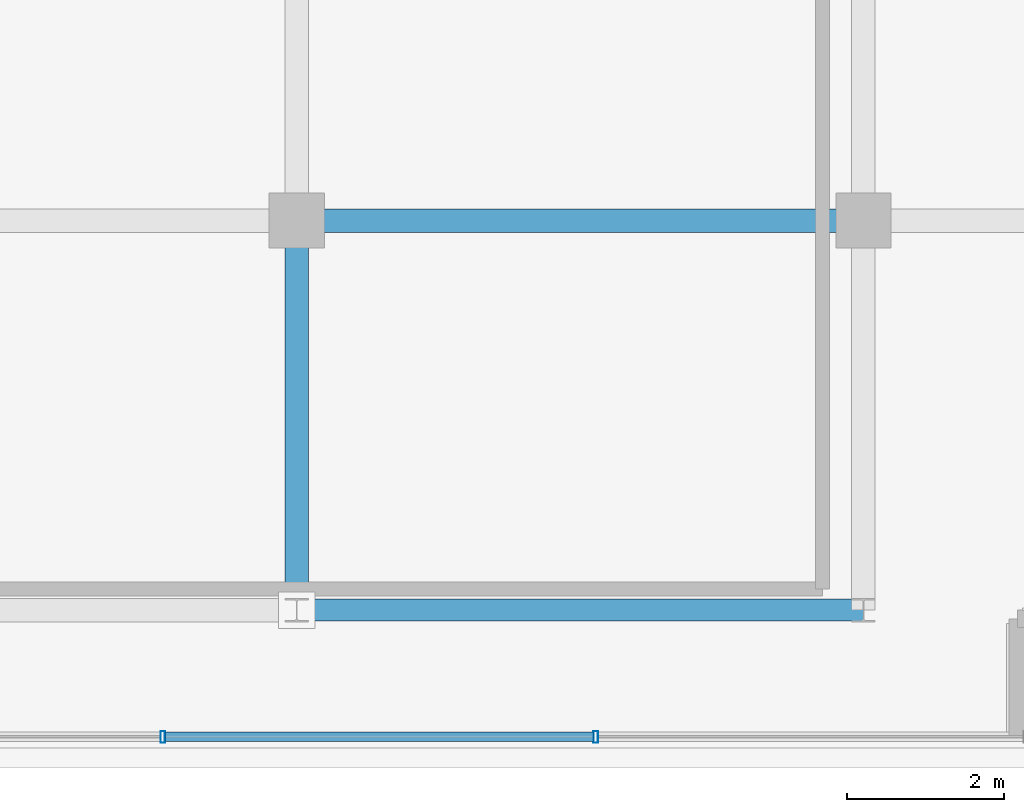
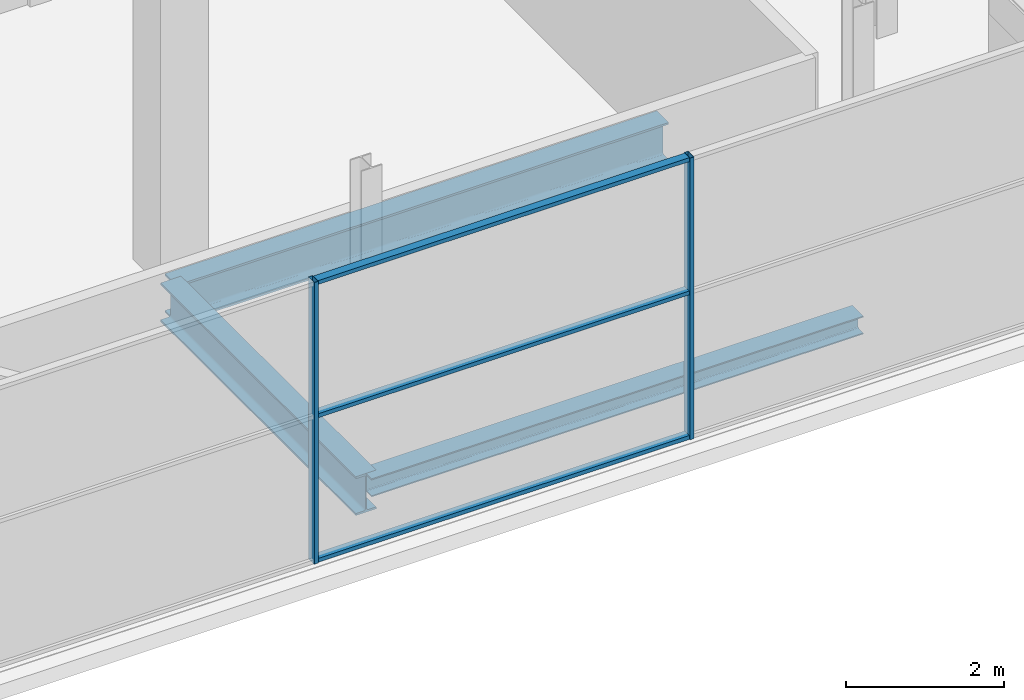
# One storey, part 9 of 26: 5 members, 3 beams, 1 element without a shape of its own.
"""IFC4 building model written with IfcOpenShell, lengths in metres."""

from ifc_helpers import new_model, si_unit, direction, frame, origin, origin_2d, place, context, subcontext, project, spatial, hollow_rectangle, i_section, extrude, source, transform, mapped, material, layer, layer_set, material_profile, profile_set, type_object, element, aggregate, save


model = new_model("IFC4")

# Units and contexts
model_context = context("Model", 3, precision=1e-05, world=origin(), true_north=direction((0.0, 1.0)))
body_context = subcontext(model_context, "Body", "Model", "MODEL_VIEW")
ifc_project = project(units=[si_unit("LENGTHUNIT", "METRE"), si_unit("AREAUNIT", "SQUARE_METRE"), si_unit("VOLUMEUNIT", "CUBIC_METRE"), si_unit("PLANEANGLEUNIT", "RADIAN"), si_unit("MASSUNIT", "GRAM", prefix="KILO")], contexts=[model_context])

# Site, building, storey
site_placement = place(None, origin())
site = spatial("IfcSite", under=ifc_project, at=site_placement, CompositionType="ELEMENT")
building_placement = place(site_placement, origin())
building = spatial("IfcBuilding", under=site, at=building_placement, Name="Zarnakvel Exchange Tower", CompositionType="ELEMENT")
storey_placement = place(building_placement, frame((0.0, 0.0, 280.800048828125)))
storey = spatial("IfcBuildingStorey", under=building, at=storey_placement, Name="Crown L79", CompositionType="ELEMENT", Elevation=280.800048828125)

# Beams
ifc_material_1 = material(Name="Steel S355", Category="steel")
ifc_material_profile_1 = material_profile(ifc_material_1, i_section(OverallWidth=0.300048828125, OverallDepth=0.60009765625, WebThickness=0.015380859375, FlangeThickness=0.030029296875, FilletRadius=0.027099609375, at=origin_2d()))
ifc_profile_set_1 = profile_set([ifc_material_profile_1], Name="Steel S355")
beam_type_1 = type_object("IfcBeamType", Name="G-04", PredefinedType="BEAM", material=ifc_profile_set_1)
beam_1_placement = place(storey_placement, frame((7.199951171875, -9.60009765625, -0.52001953125), z_axis=(1.0, 0.0, 0.0), x_axis=(0.0, 1.0, 0.0)))
element("IfcBeam", 1, at=beam_1_placement, inside=storey, type_object=beam_type_1, Name="Crown L79 Tower E-W Frame Beam", PredefinedType="BEAM", context=body_context, shape_type="SweptSolid", body=[
    extrude(i_section(OverallWidth=0.300048828125, OverallDepth=0.60009765625, WebThickness=0.015380859375, FlangeThickness=0.030029296875, FilletRadius=0.027099609375, at=origin_2d()), origin(), (0.0, 0.0, 1.0), 7.199951171875),
])
beam_2_placement = place(storey_placement, frame((7.199951171875, -14.550048828125, -0.52001953125), z_axis=(0.0, 1.0, 0.0), x_axis=(-1.0, 0.0, 0.0)))
element("IfcBeam", 2, at=beam_2_placement, inside=storey, type_object=beam_type_1, Name="Crown L79 Tower N-S Frame Beam", PredefinedType="BEAM", context=body_context, shape_type="SweptSolid", body=[
    extrude(i_section(OverallWidth=0.300048828125, OverallDepth=0.60009765625, WebThickness=0.015380859375, FlangeThickness=0.030029296875, FilletRadius=0.027099609375, at=origin_2d()), origin(), (0.0, 0.0, 1.0), 4.949951171875),
])
ifc_material_profile_2 = material_profile(ifc_material_1, i_section(OverallWidth=0.280029296875, OverallDepth=0.280029296875, WebThickness=0.010498046875, FlangeThickness=0.01806640625, FilletRadius=0.02392578125, at=origin_2d()))
ifc_profile_set_2 = profile_set([ifc_material_profile_2], Name="Steel S355")
beam_type_2 = type_object("IfcBeamType", Name="SP-04", PredefinedType="SPANDREL", material=ifc_profile_set_2)
beam_3_placement = place(storey_placement, frame((7.199951171875, -14.550048828125, -0.360107421875), z_axis=(1.0, 0.0, 0.0), x_axis=(0.0, 1.0, 0.0)))
element("IfcBeam", 3, at=beam_3_placement, inside=storey, type_object=beam_type_2, Name="Crown L79 Tower E-W Frame Beam", PredefinedType="SPANDREL", context=body_context, shape_type="SweptSolid", body=[
    extrude(i_section(OverallWidth=0.280029296875, OverallDepth=0.280029296875, WebThickness=0.010498046875, FlangeThickness=0.01806640625, FilletRadius=0.02392578125, at=origin_2d()), origin(), (0.0, 0.0, 1.0), 7.199951171875),
])

# Curtain wall, members
ifc_material_2 = material(Name="Architectural Bronze Anodised Aluminium", Category="aluminium")
ifc_layer = layer(ifc_material_2, 0.14990234375)
ifc_layer_set = layer_set([ifc_layer], Name="Architectural Bronze Anodised Aluminium")
curtain_wall_type = type_object("IfcCurtainWallType", Name="CW-07", PredefinedType="NOTDEFINED", material=ifc_layer_set)
curtain_wall_placement = place(storey_placement, origin())
curtain_wall = element("IfcCurtainWall", 4, at=curtain_wall_placement, inside=storey, type_object=curtain_wall_type, Name="Crown L79 Curtain Wall CW-Crown L79-S (CW-07)", PredefinedType="NOTDEFINED")
ifc_material_profile_3 = material_profile(ifc_material_2, hollow_rectangle(XDim=0.14990234375, YDim=0.06005859375, WallThickness=0.00390625, at=origin_2d()))
ifc_profile_set_3 = profile_set([ifc_material_profile_3], Name="Architectural Bronze Anodised Aluminium")
member_type_1 = type_object("IfcMemberType", Name="CWM-07", PredefinedType="MULLION", material=ifc_profile_set_3)
shared_shape_1 = source(origin(), body_context, "Body", "SweptSolid", [
    extrude(hollow_rectangle(XDim=0.14990234375, YDim=0.06005859375, WallThickness=0.00390625, at=origin_2d()), origin(), (0.0, 0.0, 1.0), 4.35986328125),
])
member_1_placement = place(storey_placement, frame((5.5, -16.159912109375, 0.0), z_axis=(0.0, 0.0, 1.0), x_axis=(0.0, 1.0, 0.0)))
member_1 = element("IfcMember", 5, at=member_1_placement, type_object=member_type_1, Name="CW-07 mullion 5", PredefinedType="MULLION", context=body_context, shape_type="MappedRepresentation", body=[
    mapped(shared_shape_1, transform((0.0, 0.0, 0.0), x_axis=(1.0, 0.0, 0.0), y_axis=(0.0, 1.0, 0.0), z_axis=(0.0, 0.0, 1.0), scale=1.0)),
])
member_2_placement = place(storey_placement, frame((11.0, -16.159912109375, 0.0), z_axis=(0.0, 0.0, 1.0), x_axis=(0.0, 1.0, 0.0)))
member_2 = element("IfcMember", 6, at=member_2_placement, type_object=member_type_1, Name="CW-07 mullion 6", PredefinedType="MULLION", context=body_context, shape_type="MappedRepresentation", body=[
    mapped(shared_shape_1, transform((0.0, 0.0, 0.0), x_axis=(1.0, 0.0, 0.0), y_axis=(0.0, 1.0, 0.0), z_axis=(0.0, 0.0, 1.0), scale=1.0)),
])
ifc_material_profile_4 = material_profile(ifc_material_2, hollow_rectangle(XDim=0.1201171875, YDim=0.06005859375, WallThickness=0.00390625, at=origin_2d()))
ifc_profile_set_4 = profile_set([ifc_material_profile_4], Name="Architectural Bronze Anodised Aluminium")
member_type_2 = type_object("IfcMemberType", Name="CWT-07", PredefinedType="USERDEFINED", material=ifc_profile_set_4)
shared_shape_2 = source(origin(), body_context, "Body", "SweptSolid", [
    extrude(hollow_rectangle(XDim=0.1201171875, YDim=0.06005859375, WallThickness=0.00390625, at=origin_2d()), origin(), (0.0, 0.0, 1.0), 5.43994140625),
])
member_3_placement = place(storey_placement, frame((5.530029296875, -16.159912109375, 0.030029296875), z_axis=(1.0, 0.0, 0.0), x_axis=(0.0, 1.0, 0.0)))
member_3 = element("IfcMember", 7, at=member_3_placement, type_object=member_type_2, Name="CW-07 transom 5.1", ObjectType="TRANSOM", PredefinedType="USERDEFINED", context=body_context, shape_type="MappedRepresentation", body=[
    mapped(shared_shape_2, transform((0.0, 0.0, 0.0), x_axis=(1.0, 0.0, 0.0), y_axis=(0.0, 1.0, 0.0), z_axis=(0.0, 0.0, 1.0), scale=1.0)),
])
member_4_placement = place(storey_placement, frame((5.530029296875, -16.159912109375, 2.26708984375), z_axis=(1.0, 0.0, 0.0), x_axis=(0.0, 1.0, 0.0)))
member_4 = element("IfcMember", 8, at=member_4_placement, type_object=member_type_2, Name="CW-07 transom 5.2", ObjectType="TRANSOM", PredefinedType="USERDEFINED", context=body_context, shape_type="MappedRepresentation", body=[
    mapped(shared_shape_2, transform((0.0, 0.0, 0.0), x_axis=(1.0, 0.0, 0.0), y_axis=(0.0, 1.0, 0.0), z_axis=(0.0, 0.0, 1.0), scale=1.0)),
])
member_5_placement = place(storey_placement, frame((5.530029296875, -16.159912109375, 4.329833984375), z_axis=(1.0, 0.0, 0.0), x_axis=(0.0, 1.0, 0.0)))
member_5 = element("IfcMember", 9, at=member_5_placement, type_object=member_type_2, Name="CW-07 transom 5.3", ObjectType="TRANSOM", PredefinedType="USERDEFINED", context=body_context, shape_type="MappedRepresentation", body=[
    mapped(shared_shape_2, transform((0.0, 0.0, 0.0), x_axis=(1.0, 0.0, 0.0), y_axis=(0.0, 1.0, 0.0), z_axis=(0.0, 0.0, 1.0), scale=1.0)),
])
aggregate(curtain_wall, [member_1, member_2, member_3, member_4, member_5])

save(model, "model.ifc")
